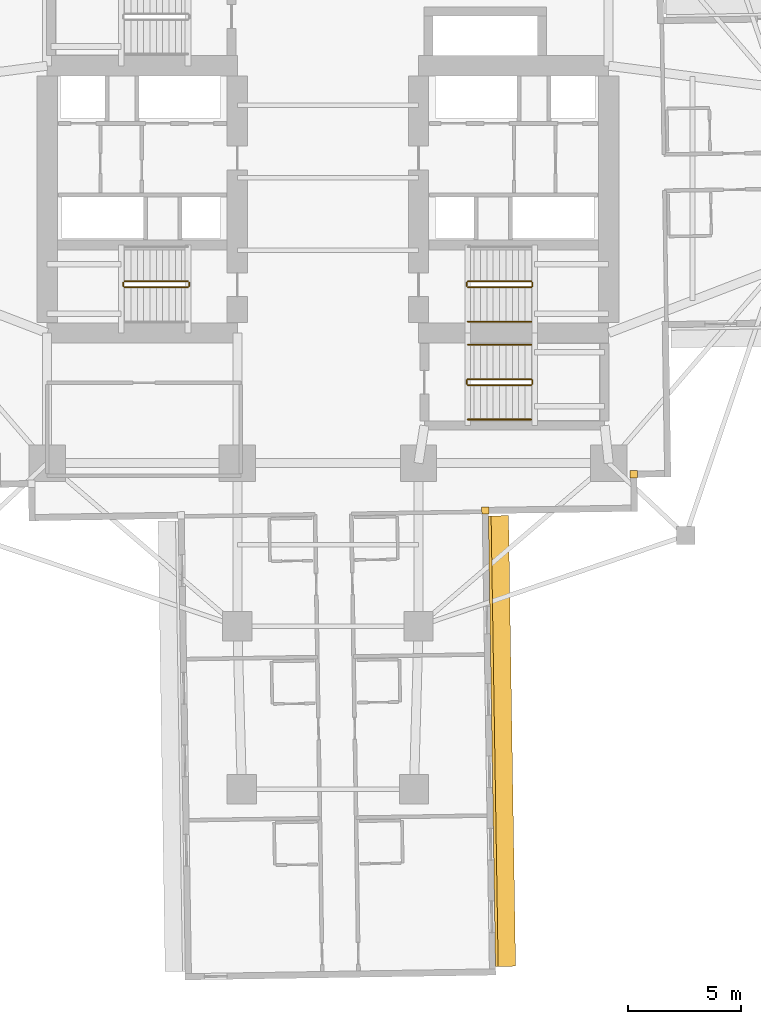
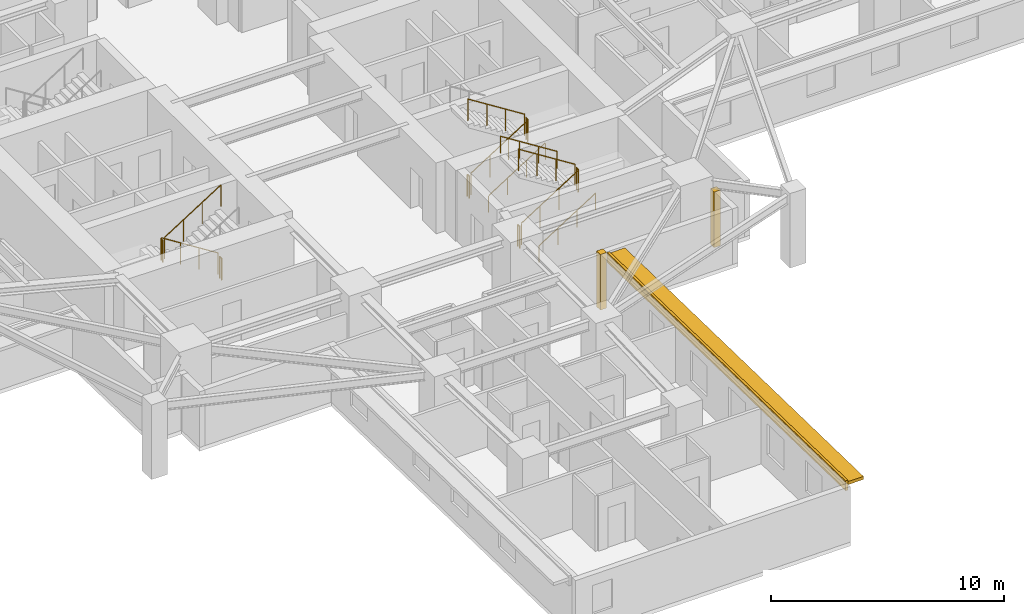
# One storey, part 11 of 14: 15 railings, 3 coverings, 1 shading device.
"""IFC4 building model written with IfcOpenShell, lengths in metres."""

from ifc_helpers import new_model, si_unit, direction, frame, origin, origin_2d, place, context, subcontext, project, spatial, rectangle, circle, extrude, material, layer, layer_set, type_object, element, save


model = new_model("IFC4")

# Units and contexts
model_context = context("Model", 3, precision=1e-05, world=origin(), true_north=direction((0.0, 1.0)))
body_context = subcontext(model_context, "Body", "Model", "MODEL_VIEW")
ifc_project = project(units=[si_unit("LENGTHUNIT", "METRE"), si_unit("AREAUNIT", "SQUARE_METRE"), si_unit("VOLUMEUNIT", "CUBIC_METRE"), si_unit("PLANEANGLEUNIT", "RADIAN"), si_unit("MASSUNIT", "GRAM", prefix="KILO")], contexts=[model_context])

# Site, building, storey
site_placement = place(None, origin())
site = spatial("IfcSite", under=ifc_project, at=site_placement, CompositionType="ELEMENT")
building_placement = place(site_placement, origin())
building = spatial("IfcBuilding", under=site, at=building_placement, Name="Qingluan Cross Belvedere", CompositionType="ELEMENT")
storey_placement = place(building_placement, frame((0.0, 0.0, 27.60009765625)))
storey = spatial("IfcBuildingStorey", under=building, at=storey_placement, Name="L07", CompositionType="ELEMENT", Elevation=27.60009765625)

# Coverings
ifc_material_1 = material(Name="Precast concrete C45", Category="concrete")
ifc_layer_1 = layer(ifc_material_1, 0.1201171875, Name="ConcreteSpandrelCladding_120")
ifc_layer_set_1 = layer_set([ifc_layer_1], Name="Precast concrete C45")
covering_type = type_object("IfcCoveringType", Name="ConcreteSpandrelCladding_120", PredefinedType="CLADDING", material=ifc_layer_set_1)
covering_placement = place(storey_placement, frame((7.3017578125, -24.87841796875, 2.449951171875), z_axis=(0.0, 0.0, 1.0), x_axis=(-0.015711457647, 0.999876567432, 0.0)))
element("IfcCovering", 1, at=covering_placement, inside=storey, type_object=covering_type, Name="Spandrel cladding L07-SB", PredefinedType="CLADDING", context=body_context, shape_type="SweptSolid", body=[
    extrude(rectangle(XDim=19.89990234375, YDim=0.1201171875, at=origin_2d()), origin(), (0.0, 0.0, 1.0), 0.52001953125),
])
for number, where, z_axis, x_axis, name in (
    (2, (13.50732421875, -13.089599609375, 0.0), (0.0, 0.0, 1.0), (0.999876632482, 0.015707317312, 0.0), "Corner closure L07-SE1"),
    (3, (6.95166015625, -14.692626953125, 0.0), (0.0, 0.0, 1.0), (0.999876632482, 0.015707317312, 0.0), "Corner closure L07-SE2"),
):
    element("IfcCovering", number, at=place(storey_placement, frame(where, z_axis=z_axis, x_axis=x_axis)), inside=storey, type_object=covering_type, Name=name, PredefinedType="CLADDING", context=body_context, shape_type="SweptSolid", body=[
        extrude(rectangle(XDim=0.320068359375, YDim=0.320068359375, at=origin_2d()), origin(), (0.0, 0.0, 1.0), 2.909912109375),
    ])

# Shading device
ifc_material_2 = material(Name="Precast concrete C45", Category="concrete")
ifc_layer_2 = layer(ifc_material_2, 0.159912109375, Name="ConcreteSunshadeBand_900")
ifc_layer_set_2 = layer_set([ifc_layer_2], Name="Precast concrete C45")
shading_device_type = type_object("IfcShadingDeviceType", Name="ConcreteSunshadeBand_900", PredefinedType="USERDEFINED", material=ifc_layer_set_2)
shading_device_placement = place(storey_placement, frame((7.681640625, -24.872314453125, 2.72998046875), z_axis=(0.0, 0.0, 1.0), x_axis=(-0.015711457647, 0.999876567432, 0.0)))
element("IfcShadingDevice", 4, at=shading_device_placement, inside=storey, type_object=shading_device_type, Name="Concrete SUNSHADE L07-SB", ObjectType="SUNSHADE", PredefinedType="USERDEFINED", context=body_context, shape_type="SweptSolid", body=[
    extrude(rectangle(XDim=19.89990234375, YDim=0.89990234375, at=origin_2d()), origin(), (0.0, 0.0, 1.0), 0.159912109375),
])

# Railings
ifc_material_3 = material(Name="Brushed stainless steel tubular handrail", Category="steel")
railing_type_1 = type_object("IfcRailingType", Name="StairPitchHandrail_900", PredefinedType="HANDRAIL", material=ifc_material_3)
for number, where, name in (
    (5, (6.179931640625, -6.35009765625, 0.17724609375), "L07 ST2 stair handrail 1"),
    (6, (6.179931640625, -10.669921875, 0.17724609375), "L07 ST4 stair handrail 1"),
):
    element("IfcRailing", number, at=place(storey_placement, frame(where)), inside=storey, type_object=railing_type_1, Name=name, PredefinedType="HANDRAIL", context=body_context, shape_type="SweptSolid", body=[
        extrude(circle(Radius=0.02392578125, at=origin_2d()), frame((0.0, 0.0, 0.8759765625), z_axis=(0.844908973607, 0.0, 0.534910110503), x_axis=(0.0, 1.0, 0.0)), (0.0, 0.0, 1.0), 3.31396484375),
        extrude(circle(Radius=0.02099609375, at=origin_2d()), origin(), (0.0, 0.0, 1.0), 0.851806640625),
        extrude(circle(Radius=0.02099609375, at=origin_2d()), frame((0.933349609375, 0.0, 0.5908203125)), (0.0, 0.0, 1.0), 0.851806640625),
        extrude(circle(Radius=0.02099609375, at=origin_2d()), frame((1.86669921875, 0.0, 1.181884765625)), (0.0, 0.0, 1.0), 0.851806640625),
        extrude(circle(Radius=0.02099609375, at=origin_2d()), frame((2.800048828125, 0.0, 1.772705078125)), (0.0, 0.0, 1.0), 0.851806640625),
    ])
railing_1_placement = place(storey_placement, frame((8.97998046875, -7.3701171875, 2.127197265625)))
element("IfcRailing", 7, at=railing_1_placement, inside=storey, type_object=railing_type_1, Name="L07 ST4 stair handrail 2", PredefinedType="HANDRAIL", context=body_context, shape_type="SweptSolid", body=[
    extrude(circle(Radius=0.02392578125, at=origin_2d()), frame((0.0, 0.0, 0.8759765625), z_axis=(-0.844908973607, 0.0, 0.534910110503), x_axis=(0.0, -1.0, 0.0)), (0.0, 0.0, 1.0), 3.31396484375),
    extrude(circle(Radius=0.02099609375, at=origin_2d()), origin(), (0.0, 0.0, 1.0), 0.851806640625),
    extrude(circle(Radius=0.02099609375, at=origin_2d()), frame((-0.933349609375, 0.0, 0.5908203125)), (0.0, 0.0, 1.0), 0.851806640625),
    extrude(circle(Radius=0.02099609375, at=origin_2d()), frame((-1.86669921875, 0.0, 1.181884765625)), (0.0, 0.0, 1.0), 0.851806640625),
    extrude(circle(Radius=0.02099609375, at=origin_2d()), frame((-2.800048828125, 0.0, 1.772705078125)), (0.0, 0.0, 1.0), 0.851806640625),
])
ifc_material_4 = material(Name="Painted steel stair well guard", Category="steel")
railing_type_2 = type_object("IfcRailingType", Name="StairWellGuard_1150", PredefinedType="BALUSTRADE", material=ifc_material_4)
railing_2_placement = place(storey_placement, frame((-6.179931640625, -4.570068359375, 0.17724609375)))
element("IfcRailing", 8, at=railing_2_placement, inside=storey, type_object=railing_type_2, Name="L07 ST1 stair guard 1", PredefinedType="BALUSTRADE", context=body_context, shape_type="SweptSolid", body=[
    extrude(circle(Radius=0.02392578125, at=origin_2d()), frame((0.0, 0.0, 1.1259765625), z_axis=(-0.844908973607, 0.0, 0.534910110503), x_axis=(0.0, -1.0, 0.0)), (0.0, 0.0, 1.0), 3.31396484375),
    extrude(circle(Radius=0.02099609375, at=origin_2d()), origin(), (0.0, 0.0, 1.0), 1.101806640625),
    extrude(circle(Radius=0.02099609375, at=origin_2d()), frame((-0.933349609375, 0.0, 0.5908203125)), (0.0, 0.0, 1.0), 1.101806640625),
    extrude(circle(Radius=0.02099609375, at=origin_2d()), frame((-1.86669921875, 0.0, 1.181884765625)), (0.0, 0.0, 1.0), 1.101806640625),
    extrude(circle(Radius=0.02099609375, at=origin_2d()), frame((-2.800048828125, 0.0, 1.772705078125)), (0.0, 0.0, 1.0), 1.101806640625),
])
railing_3_placement = place(storey_placement, frame((-9.030029296875, -4.6201171875, 1.949951171875)))
element("IfcRailing", 9, at=railing_3_placement, inside=storey, type_object=railing_type_2, Name="L07 ST1 stair guard 2", PredefinedType="BALUSTRADE", context=body_context, shape_type="SweptSolid", body=[
    extrude(circle(Radius=0.02392578125, at=origin_2d()), frame((0.0, 0.0, 1.1259765625), z_axis=(0.0, -1.0, 0.0), x_axis=(1.0, 0.0, 0.0)), (0.0, 0.0, 1.0), 0.159912109375),
    extrude(circle(Radius=0.02099609375, at=origin_2d()), origin(), (0.0, 0.0, 1.0), 1.101806640625),
    extrude(circle(Radius=0.02099609375, at=origin_2d()), frame((0.0, -0.159912109375, 0.0)), (0.0, 0.0, 1.0), 1.101806640625),
])
railing_4_placement = place(storey_placement, frame((-8.97998046875, -4.830078125, 2.127197265625)))
element("IfcRailing", 10, at=railing_4_placement, inside=storey, type_object=railing_type_2, Name="L07 ST1 stair guard 3", PredefinedType="BALUSTRADE", context=body_context, shape_type="SweptSolid", body=[
    extrude(circle(Radius=0.02392578125, at=origin_2d()), frame((0.0, 0.0, 1.1259765625), z_axis=(0.844908973607, 0.0, 0.534910110503), x_axis=(0.0, 1.0, 0.0)), (0.0, 0.0, 1.0), 3.31396484375),
    extrude(circle(Radius=0.02099609375, at=origin_2d()), origin(), (0.0, 0.0, 1.0), 1.101806640625),
    extrude(circle(Radius=0.02099609375, at=origin_2d()), frame((0.933349609375, 0.0, 0.5908203125)), (0.0, 0.0, 1.0), 1.101806640625),
    extrude(circle(Radius=0.02099609375, at=origin_2d()), frame((1.86669921875, 0.0, 1.181884765625)), (0.0, 0.0, 1.0), 1.101806640625),
    extrude(circle(Radius=0.02099609375, at=origin_2d()), frame((2.800048828125, 0.0, 1.772705078125)), (0.0, 0.0, 1.0), 1.101806640625),
])
railing_5_placement = place(storey_placement, frame((-6.1298828125, -4.6201171875, 0.0)))
element("IfcRailing", 11, at=railing_5_placement, inside=storey, type_object=railing_type_2, Name="L07 ST1 stair guard 4", PredefinedType="BALUSTRADE", context=body_context, shape_type="SweptSolid", body=[
    extrude(circle(Radius=0.02392578125, at=origin_2d()), frame((0.0, 0.0, 1.1259765625), z_axis=(0.0, -1.0, 0.0), x_axis=(1.0, 0.0, 0.0)), (0.0, 0.0, 1.0), 0.159912109375),
    extrude(circle(Radius=0.02099609375, at=origin_2d()), origin(), (0.0, 0.0, 1.0), 1.101806640625),
    extrude(circle(Radius=0.02099609375, at=origin_2d()), frame((0.0, -0.159912109375, 0.0)), (0.0, 0.0, 1.0), 1.101806640625),
])
railing_6_placement = place(storey_placement, frame((6.179931640625, -4.830078125, 0.17724609375)))
element("IfcRailing", 12, at=railing_6_placement, inside=storey, type_object=railing_type_2, Name="L07 ST2 stair guard 1", PredefinedType="BALUSTRADE", context=body_context, shape_type="SweptSolid", body=[
    extrude(circle(Radius=0.02392578125, at=origin_2d()), frame((0.0, 0.0, 1.1259765625), z_axis=(0.844908973607, 0.0, 0.534910110503), x_axis=(0.0, 1.0, 0.0)), (0.0, 0.0, 1.0), 3.31396484375),
    extrude(circle(Radius=0.02099609375, at=origin_2d()), origin(), (0.0, 0.0, 1.0), 1.101806640625),
    extrude(circle(Radius=0.02099609375, at=origin_2d()), frame((0.933349609375, 0.0, 0.5908203125)), (0.0, 0.0, 1.0), 1.101806640625),
    extrude(circle(Radius=0.02099609375, at=origin_2d()), frame((1.86669921875, 0.0, 1.181884765625)), (0.0, 0.0, 1.0), 1.101806640625),
    extrude(circle(Radius=0.02099609375, at=origin_2d()), frame((2.800048828125, 0.0, 1.772705078125)), (0.0, 0.0, 1.0), 1.101806640625),
])
railing_7_placement = place(storey_placement, frame((9.030029296875, -4.780029296875, 1.949951171875)))
element("IfcRailing", 13, at=railing_7_placement, inside=storey, type_object=railing_type_2, Name="L07 ST2 stair guard 2", PredefinedType="BALUSTRADE", context=body_context, shape_type="SweptSolid", body=[
    extrude(circle(Radius=0.02392578125, at=origin_2d()), frame((0.0, 0.0, 1.1259765625), z_axis=(0.0, 1.0, 0.0), x_axis=(-1.0, 0.0, 0.0)), (0.0, 0.0, 1.0), 0.159912109375),
    extrude(circle(Radius=0.02099609375, at=origin_2d()), origin(), (0.0, 0.0, 1.0), 1.101806640625),
    extrude(circle(Radius=0.02099609375, at=origin_2d()), frame((0.0, 0.159912109375, 0.0)), (0.0, 0.0, 1.0), 1.101806640625),
])
railing_8_placement = place(storey_placement, frame((8.97998046875, -4.570068359375, 2.127197265625)))
element("IfcRailing", 14, at=railing_8_placement, inside=storey, type_object=railing_type_2, Name="L07 ST2 stair guard 3", PredefinedType="BALUSTRADE", context=body_context, shape_type="SweptSolid", body=[
    extrude(circle(Radius=0.02392578125, at=origin_2d()), frame((0.0, 0.0, 1.1259765625), z_axis=(-0.844908973607, 0.0, 0.534910110503), x_axis=(0.0, -1.0, 0.0)), (0.0, 0.0, 1.0), 3.31396484375),
    extrude(circle(Radius=0.02099609375, at=origin_2d()), origin(), (0.0, 0.0, 1.0), 1.101806640625),
    extrude(circle(Radius=0.02099609375, at=origin_2d()), frame((-0.933349609375, 0.0, 0.5908203125)), (0.0, 0.0, 1.0), 1.101806640625),
    extrude(circle(Radius=0.02099609375, at=origin_2d()), frame((-1.86669921875, 0.0, 1.181884765625)), (0.0, 0.0, 1.0), 1.101806640625),
    extrude(circle(Radius=0.02099609375, at=origin_2d()), frame((-2.800048828125, 0.0, 1.772705078125)), (0.0, 0.0, 1.0), 1.101806640625),
])
railing_9_placement = place(storey_placement, frame((6.1298828125, -4.780029296875, 0.0)))
element("IfcRailing", 15, at=railing_9_placement, inside=storey, type_object=railing_type_2, Name="L07 ST2 stair guard 4", PredefinedType="BALUSTRADE", context=body_context, shape_type="SweptSolid", body=[
    extrude(circle(Radius=0.02392578125, at=origin_2d()), frame((0.0, 0.0, 1.1259765625), z_axis=(0.0, 1.0, 0.0), x_axis=(-1.0, 0.0, 0.0)), (0.0, 0.0, 1.0), 0.159912109375),
    extrude(circle(Radius=0.02099609375, at=origin_2d()), origin(), (0.0, 0.0, 1.0), 1.101806640625),
    extrude(circle(Radius=0.02099609375, at=origin_2d()), frame((0.0, 0.159912109375, 0.0)), (0.0, 0.0, 1.0), 1.101806640625),
])
railing_10_placement = place(storey_placement, frame((6.179931640625, -9.14990234375, 0.17724609375)))
element("IfcRailing", 16, at=railing_10_placement, inside=storey, type_object=railing_type_2, Name="L07 ST4 stair guard 1", PredefinedType="BALUSTRADE", context=body_context, shape_type="SweptSolid", body=[
    extrude(circle(Radius=0.02392578125, at=origin_2d()), frame((0.0, 0.0, 1.1259765625), z_axis=(0.844908973607, 0.0, 0.534910110503), x_axis=(0.0, 1.0, 0.0)), (0.0, 0.0, 1.0), 3.31396484375),
    extrude(circle(Radius=0.02099609375, at=origin_2d()), origin(), (0.0, 0.0, 1.0), 1.101806640625),
    extrude(circle(Radius=0.02099609375, at=origin_2d()), frame((0.933349609375, 0.0, 0.5908203125)), (0.0, 0.0, 1.0), 1.101806640625),
    extrude(circle(Radius=0.02099609375, at=origin_2d()), frame((1.86669921875, 0.0, 1.181884765625)), (0.0, 0.0, 1.0), 1.101806640625),
    extrude(circle(Radius=0.02099609375, at=origin_2d()), frame((2.800048828125, 0.0, 1.772705078125)), (0.0, 0.0, 1.0), 1.101806640625),
])
railing_11_placement = place(storey_placement, frame((9.030029296875, -9.10009765625, 1.949951171875)))
element("IfcRailing", 17, at=railing_11_placement, inside=storey, type_object=railing_type_2, Name="L07 ST4 stair guard 2", PredefinedType="BALUSTRADE", context=body_context, shape_type="SweptSolid", body=[
    extrude(circle(Radius=0.02392578125, at=origin_2d()), frame((0.0, 0.0, 1.1259765625), z_axis=(0.0, 1.0, 0.0), x_axis=(-1.0, 0.0, 0.0)), (0.0, 0.0, 1.0), 0.16015625),
    extrude(circle(Radius=0.02099609375, at=origin_2d()), origin(), (0.0, 0.0, 1.0), 1.101806640625),
    extrude(circle(Radius=0.02099609375, at=origin_2d()), frame((0.0, 0.16015625, 0.0)), (0.0, 0.0, 1.0), 1.101806640625),
])
railing_12_placement = place(storey_placement, frame((8.97998046875, -8.889892578125, 2.127197265625)))
element("IfcRailing", 18, at=railing_12_placement, inside=storey, type_object=railing_type_2, Name="L07 ST4 stair guard 3", PredefinedType="BALUSTRADE", context=body_context, shape_type="SweptSolid", body=[
    extrude(circle(Radius=0.02392578125, at=origin_2d()), frame((0.0, 0.0, 1.1259765625), z_axis=(-0.844908973607, 0.0, 0.534910110503), x_axis=(0.0, -1.0, 0.0)), (0.0, 0.0, 1.0), 3.31396484375),
    extrude(circle(Radius=0.02099609375, at=origin_2d()), origin(), (0.0, 0.0, 1.0), 1.101806640625),
    extrude(circle(Radius=0.02099609375, at=origin_2d()), frame((-0.933349609375, 0.0, 0.5908203125)), (0.0, 0.0, 1.0), 1.101806640625),
    extrude(circle(Radius=0.02099609375, at=origin_2d()), frame((-1.86669921875, 0.0, 1.181884765625)), (0.0, 0.0, 1.0), 1.101806640625),
    extrude(circle(Radius=0.02099609375, at=origin_2d()), frame((-2.800048828125, 0.0, 1.772705078125)), (0.0, 0.0, 1.0), 1.101806640625),
])
railing_13_placement = place(storey_placement, frame((6.1298828125, -9.10009765625, 0.0)))
element("IfcRailing", 19, at=railing_13_placement, inside=storey, type_object=railing_type_2, Name="L07 ST4 stair guard 4", PredefinedType="BALUSTRADE", context=body_context, shape_type="SweptSolid", body=[
    extrude(circle(Radius=0.02392578125, at=origin_2d()), frame((0.0, 0.0, 1.1259765625), z_axis=(0.0, 1.0, 0.0), x_axis=(-1.0, 0.0, 0.0)), (0.0, 0.0, 1.0), 0.16015625),
    extrude(circle(Radius=0.02099609375, at=origin_2d()), origin(), (0.0, 0.0, 1.0), 1.101806640625),
    extrude(circle(Radius=0.02099609375, at=origin_2d()), frame((0.0, 0.16015625, 0.0)), (0.0, 0.0, 1.0), 1.101806640625),
])

save(model, "model.ifc")
